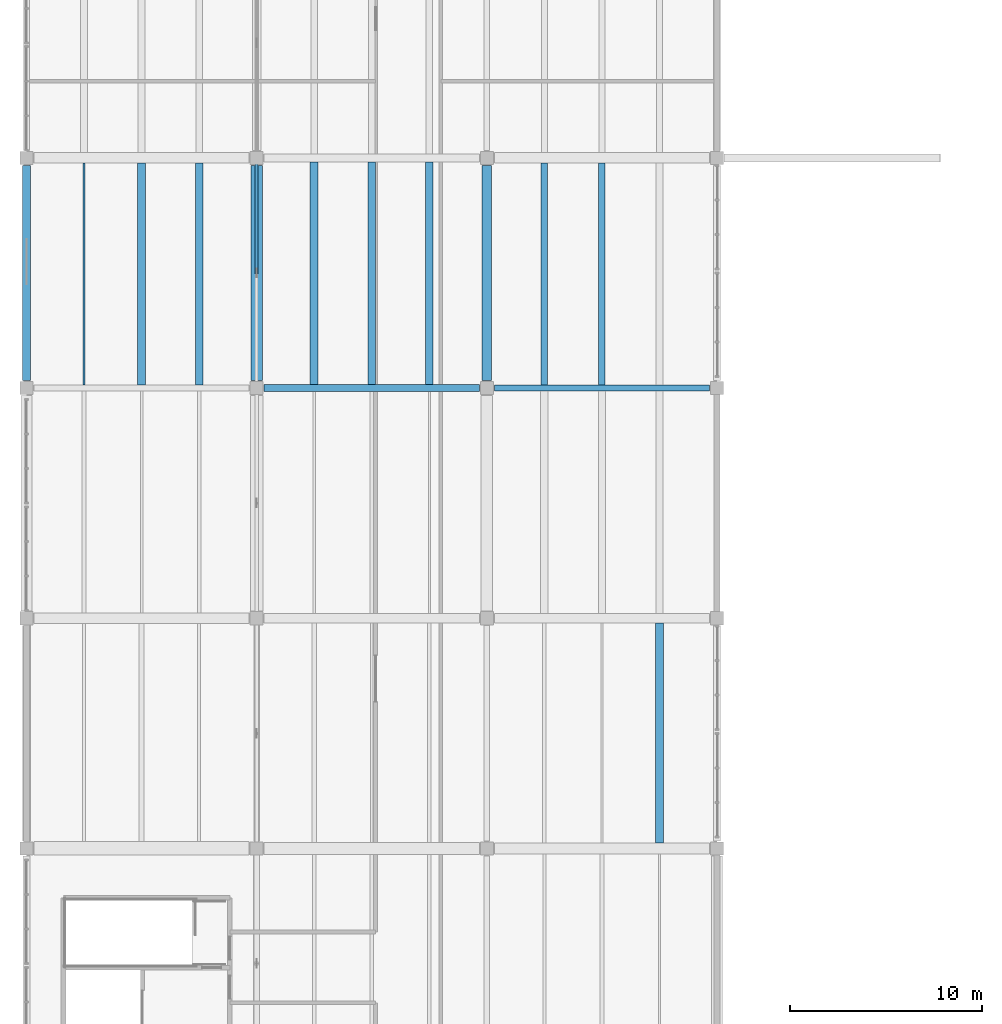
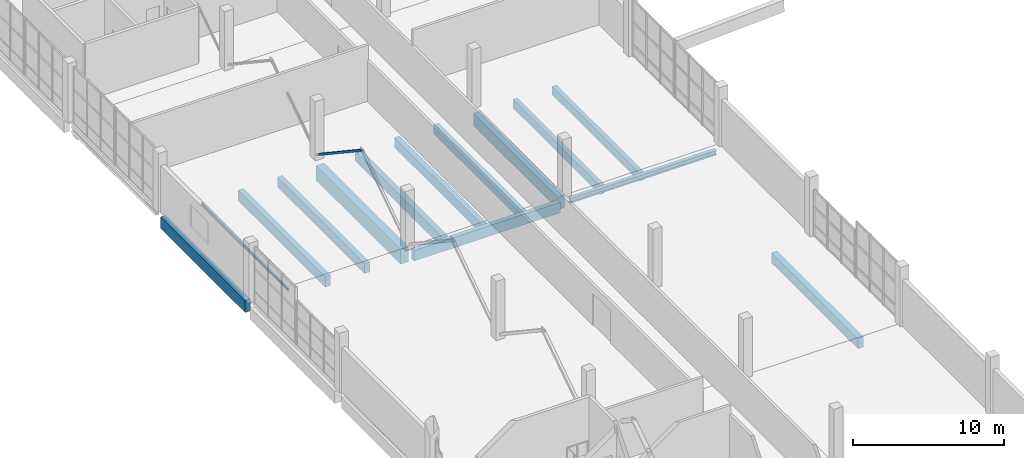
# One storey, part 11 of 49: 14 beams, 1 member.
"""IFC4 building model written with IfcOpenShell, lengths in metres."""

import ifcopenshell
import ifcopenshell.guid

model = None  # the IFC model being written
_history = None  # IfcOwnerHistory: only IFC2X3 demands one
_inside = {}  # id of a spatial element -> (the spatial element, [elements in it])
_under = {}  # id of a project, library or spatial element -> (it, [spatial elements below it])
_declared = {}  # id of a project -> (the project, [libraries it declares])
_typed = {}  # id of a type object -> (the type object, [elements of that type])
_made_of = {}  # id of a material, layer set ... -> (it, [elements and type objects made of it])


def new_model(schema):
    """Start an empty IFC model of exactly this schema.

    Asked for "IFC4X3", IfcOpenShell would pick the latest addendum, in which some entities
    have other attributes; the version numbers below select the first issue.
    IFC2X3 requires an IfcOwnerHistory on every rooted entity: one is made here for all.
    """
    global model, _history
    if schema == "IFC4X3":
        model = ifcopenshell.file(schema_version=(4, 3, 0, 0))
    else:
        model = ifcopenshell.file(schema=schema)
    _inside.clear()
    _under.clear()
    _declared.clear()
    _typed.clear()
    _made_of.clear()
    _history = None
    if model.schema == "IFC2X3":
        org = make("IfcOrganization", Name="unknown")
        user = make(
            "IfcPersonAndOrganization",
            ThePerson=make("IfcPerson", FamilyName="unknown"),
            TheOrganization=org,
        )
        app = make(
            "IfcApplication",
            ApplicationDeveloper=org,
            Version="unknown",
            ApplicationFullName="unknown",
            ApplicationIdentifier="unknown",
        )
        _history = make(
            "IfcOwnerHistory",
            OwningUser=user,
            OwningApplication=app,
            ChangeAction="ADDED",
            CreationDate=0,
        )
    return model


def make(cls, **values):
    """One entity of the class cls with the attributes given. An attribute that is None is left unset."""
    return model.create_entity(
        cls, **{name: value for name, value in values.items() if value is not None}
    )


def rooted(cls, **values):
    """An entity with a GlobalId (a new one), such as an element, a storey or a relation."""
    return make(cls, GlobalId=ifcopenshell.guid.new(), OwnerHistory=_history, **values)


def si_unit(unit_type, name, prefix=None):
    """IfcSIUnit, for example si_unit("LENGTHUNIT", "METRE", prefix="MILLI")."""
    return make("IfcSIUnit", UnitType=unit_type, Prefix=prefix, Name=name)


def assignment(units):
    """IfcUnitAssignment: the units of a project."""
    return None if units is None else make("IfcUnitAssignment", Units=units)


def point(xyz):
    """IfcCartesianPoint."""
    return None if xyz is None else make("IfcCartesianPoint", Coordinates=xyz)


def direction(xyz):
    """IfcDirection."""
    return None if xyz is None else make("IfcDirection", DirectionRatios=xyz)


def frame(location, z_axis=None, x_axis=None):
    """IfcAxis2Placement3D, a coordinate frame: its origin and axes. An axis left out is left unset."""
    return make(
        "IfcAxis2Placement3D",
        Location=point(location),
        Axis=direction(z_axis),
        RefDirection=direction(x_axis),
    )


def frame_2d(location, x_axis=None):
    """IfcAxis2Placement2D, a coordinate frame in the plane: its origin and x axis."""
    return make(
        "IfcAxis2Placement2D", Location=point(location), RefDirection=direction(x_axis)
    )


def origin():
    """The frame at (0, 0, 0) with its axes left unset."""
    return frame((0.0, 0.0, 0.0))


def origin_2d():
    """The frame at (0, 0) in the plane with its x axis left unset."""
    return frame_2d((0.0, 0.0))


def place(relative_to, where):
    """IfcLocalPlacement: puts the frame where relative to a parent placement (None: the world)."""
    return make(
        "IfcLocalPlacement", PlacementRelTo=relative_to, RelativePlacement=where
    )


def context(
    kind, dimensions, precision=None, world=None, true_north=None, identifier=None
):
    """IfcGeometricRepresentationContext, for example the 3D "Model" context."""
    return make(
        "IfcGeometricRepresentationContext",
        ContextIdentifier=identifier,
        ContextType=kind,
        CoordinateSpaceDimension=dimensions,
        Precision=precision,
        WorldCoordinateSystem=world,
        TrueNorth=true_north,
    )


def subcontext(parent, identifier, kind, view, scale=None):
    """IfcGeometricRepresentationSubContext, for example "Body" below "Model"."""
    return make(
        "IfcGeometricRepresentationSubContext",
        ContextIdentifier=identifier,
        ContextType=kind,
        ParentContext=parent,
        TargetScale=scale,
        TargetView=view,
    )


def project(units=None, contexts=None):
    """IfcProject with its units and contexts."""
    return rooted(
        "IfcProject",
        Name="project",
        RepresentationContexts=contexts,
        UnitsInContext=assignment(units),
    )


def spatial(cls, under=None, at=None, **own):
    """A site, building, storey or space (cls), placed at a placement, below another one or the project."""
    s = rooted(cls, ObjectPlacement=at, **own)
    if under is not None:
        _under.setdefault(under.id(), (under, []))[1].append(s)
    return s


def profile(cls, at=None, kind="AREA", **sizes):
    """A parametric profile (cls). Its sizes go by their IFC names, for example OverallWidth=200.0."""
    return make(cls, ProfileType=kind, Position=at, **sizes)


def rectangle(**sizes):
    """IfcRectangleProfileDef."""
    return profile("IfcRectangleProfileDef", **sizes)


def hollow_rectangle(**sizes):
    """IfcRectangleHollowProfileDef."""
    return profile("IfcRectangleHollowProfileDef", **sizes)


def i_section(**sizes):
    """IfcIShapeProfileDef."""
    return profile("IfcIShapeProfileDef", **sizes)


def extrude(swept, where, along, depth):
    """IfcExtrudedAreaSolid: the profile swept, set in the frame where, extruded along a direction by depth."""
    return make(
        "IfcExtrudedAreaSolid",
        SweptArea=swept,
        Position=where,
        ExtrudedDirection=direction(along),
        Depth=depth,
    )


def shape(context_of_items, identifier, shape_type, items):
    """IfcShapeRepresentation: the items that make up one representation, for example the "Body"."""
    return make(
        "IfcShapeRepresentation",
        ContextOfItems=context_of_items,
        RepresentationIdentifier=identifier,
        RepresentationType=shape_type,
        Items=items,
    )


def material(Name=None, Category=None):
    """IfcMaterial."""
    return make("IfcMaterial", Name=Name, Category=Category)


def material_profile(
    of_material, cross_section, Name=None, Category=None, Priority=None
):
    """IfcMaterialProfile: a cross section and its material."""
    return make(
        "IfcMaterialProfile",
        Name=Name,
        Material=of_material,
        Profile=cross_section,
        Priority=Priority,
        Category=Category,
    )


def profile_set(profiles, Name=None, composite=None):
    """IfcMaterialProfileSet."""
    return make(
        "IfcMaterialProfileSet",
        Name=Name,
        MaterialProfiles=profiles,
        CompositeProfile=composite,
    )


def made_of(thing, what):
    """Note that an element or type object is made of a material, layer set ...; save() writes the relation."""
    if what is not None:
        _made_of.setdefault(what.id(), (what, []))[1].append(thing)
    return thing


def type_object(cls, material=None, **own):
    """A type object (cls), such as IfcWallType, which elements share."""
    return made_of(rooted(cls, **own), material)


def element(
    cls,
    number,
    at=None,
    inside=None,
    cuts=None,
    type_object=None,
    material=None,
    context=None,
    identifier="Body",
    shape_type=None,
    held_by="IfcProductDefinitionShape",
    body=None,
    shapes=None,
    **own,
):
    """One element of the class cls, such as IfcWall. Its Tag is "e" and its number.

    at: its placement. inside: the storey or other place that contains it. cuts: it is an
    opening in that element (IfcRelVoidsElement). A single representation is given by context,
    identifier, shape_type and body (its items); several are given by shapes. held_by: the class
    of the entity that holds the representations. save() writes the other relations.
    """
    e = rooted(cls, Tag="e%d" % number, ObjectPlacement=at, **own)
    if body is not None:
        shapes = [shape(context, identifier, shape_type, body)]
    if shapes is not None:
        e.Representation = make(held_by, Representations=shapes)
    if inside is not None:
        _inside.setdefault(inside.id(), (inside, []))[1].append(e)
    if cuts is not None:
        rooted(
            "IfcRelVoidsElement", RelatingBuildingElement=cuts, RelatedOpeningElement=e
        )
    if type_object is not None:
        _typed.setdefault(type_object.id(), (type_object, []))[1].append(e)
    return made_of(e, material)


def aggregate(whole, parts):
    """IfcRelAggregates: a whole, such as a stair, and the parts it consists of."""
    return rooted("IfcRelAggregates", RelatingObject=whole, RelatedObjects=parts)


def save(model, path):
    """Write the relations noted so far, then the file.

    IfcRelAggregates (storeys below a building ...), IfcRelContainedInSpatialStructure (elements
    in a storey), IfcRelDefinesByType, IfcRelAssociatesMaterial and IfcRelDeclares: one each for
    every whole, place, type object, material and project.
    """
    for whole, parts in _under.values():
        aggregate(whole, parts)
    for where, things in _inside.values():
        rooted(
            "IfcRelContainedInSpatialStructure",
            RelatedElements=things,
            RelatingStructure=where,
        )
    for kind, things in _typed.values():
        rooted("IfcRelDefinesByType", RelatedObjects=things, RelatingType=kind)
    for what, things in _made_of.values():
        rooted("IfcRelAssociatesMaterial", RelatedObjects=things, RelatingMaterial=what)
    for by, libraries in _declared.values():
        rooted("IfcRelDeclares", RelatingContext=by, RelatedDefinitions=libraries)
    model.write(path)


model = new_model("IFC4")

# Units and contexts
model_context = context("Model", 3, precision=1e-05, world=origin(), true_north=direction((0.0, 1.0)))
body_context = subcontext(model_context, "Body", "Model", "MODEL_VIEW")
ifc_project = project(units=[si_unit("LENGTHUNIT", "METRE"), si_unit("AREAUNIT", "SQUARE_METRE"), si_unit("VOLUMEUNIT", "CUBIC_METRE"), si_unit("PLANEANGLEUNIT", "RADIAN"), si_unit("MASSUNIT", "GRAM", prefix="KILO")], contexts=[model_context])

# Site, building, storey
site_placement = place(None, origin())
site = spatial("IfcSite", under=ifc_project, at=site_placement, CompositionType="ELEMENT")
building_placement = place(site_placement, origin())
building = spatial("IfcBuilding", under=site, at=building_placement, Name="Kamomehara Wholesale Market", CompositionType="ELEMENT")
storey_placement = place(building_placement, frame((0.0, 0.0, 11.39990234375)))
storey = spatial("IfcBuildingStorey", under=building, at=storey_placement, Name="L02", CompositionType="ELEMENT", Elevation=11.39990234375)

# Beams
ifc_material_1 = material(Name="Precast concrete Fc45 (C40/50)", Category="concrete")
ifc_material_profile_1 = material_profile(ifc_material_1, rectangle(XDim=0.5, YDim=1.0, at=origin_2d()), Name="PC-GRD-500x1000")
ifc_profile_set_1 = profile_set([ifc_material_profile_1], Name="Precast concrete Fc45 (C40/50)")
beam_type_1 = type_object("IfcBeamType", Name="BM-PG1000", PredefinedType="T_BEAM", material=ifc_profile_set_1)
beam_1_placement = place(storey_placement, frame((24.0, 96.389892578125, -0.841796875), z_axis=(0.0, 1.0, 0.0), x_axis=(-1.0, 0.0, 0.0)))
element("IfcBeam", 1, at=beam_1_placement, inside=storey, type_object=beam_type_1, Name="Beam PG-09 L02", PredefinedType="T_BEAM", context=body_context, shape_type="SweptSolid", body=[
    extrude(rectangle(XDim=0.5, YDim=1.0, at=origin_2d()), origin(), (0.0, 0.0, 1.0), 11.22021484375),
])
ifc_material_2 = material(Name="Precast concrete Fc45 (C40/50)", Category="concrete")
ifc_material_profile_2 = material_profile(ifc_material_2, rectangle(XDim=0.60009765625, YDim=1.199951171875, at=origin_2d()), Name="PC-GRD-600x1200")
ifc_profile_set_2 = profile_set([ifc_material_profile_2], Name="Precast concrete Fc45 (C40/50)")
beam_type_2 = type_object("IfcBeamType", Name="BM-PG1200", PredefinedType="T_BEAM", material=ifc_profile_set_2)
beam_2_placement = place(storey_placement, frame((12.0, 96.389892578125, -0.931884765625), z_axis=(0.0, 1.0, 0.0), x_axis=(-1.0, 0.0, 0.0)))
element("IfcBeam", 2, at=beam_2_placement, inside=storey, type_object=beam_type_2, Name="Beam PG-05 L02", PredefinedType="T_BEAM", context=body_context, shape_type="SweptSolid", body=[
    extrude(rectangle(XDim=0.60009765625, YDim=1.199951171875, at=origin_2d()), origin(), (0.0, 0.0, 1.0), 11.22021484375),
])
ifc_material_3 = material(Name="Precast concrete Fc45 (C40/50)", Category="concrete")
ifc_material_profile_3 = material_profile(ifc_material_3, rectangle(XDim=0.340087890625, YDim=0.679931640625, at=origin_2d()), Name="PC-JST-340x680")
ifc_profile_set_3 = profile_set([ifc_material_profile_3], Name="Precast concrete Fc45 (C40/50)")
beam_type_3 = type_object("IfcBeamType", Name="BM-PJ680", PredefinedType="JOIST", material=ifc_profile_set_3)
beam_3_placement = place(storey_placement, frame((30.0, 96.14990234375, -0.681884765625), z_axis=(0.0, 1.0, 0.0), x_axis=(-1.0, 0.0, 0.0)))
element("IfcBeam", 3, at=beam_3_placement, inside=storey, type_object=beam_type_3, Name="Beam PJ-09 L02", PredefinedType="JOIST", context=body_context, shape_type="SweptSolid", body=[
    extrude(rectangle(XDim=0.340087890625, YDim=0.679931640625, at=origin_2d()), origin(), (0.0, 0.0, 1.0), 11.5751953125),
])
ifc_material_4 = material(Name="Precast concrete Fc45 (C40/50)", Category="concrete")
ifc_material_profile_4 = material_profile(ifc_material_4, rectangle(XDim=0.35009765625, YDim=0.699951171875, at=origin_2d()), Name="PC-JST-350x700")
ifc_profile_set_4 = profile_set([ifc_material_profile_4], Name="Precast concrete Fc45 (C40/50)")
beam_type_4 = type_object("IfcBeamType", Name="BM-PJ700", PredefinedType="JOIST", material=ifc_profile_set_4)
beam_4_placement = place(storey_placement, frame((27.0, 96.14990234375, -0.69189453125), z_axis=(0.0, 1.0, 0.0), x_axis=(-1.0, 0.0, 0.0)))
element("IfcBeam", 4, at=beam_4_placement, inside=storey, type_object=beam_type_4, Name="Beam PJ-03 L02", PredefinedType="JOIST", context=body_context, shape_type="SweptSolid", body=[
    extrude(rectangle(XDim=0.35009765625, YDim=0.699951171875, at=origin_2d()), origin(), (0.0, 0.0, 1.0), 11.5751953125),
])
ifc_material_5 = material(Name="Precast concrete Fc45 (C40/50)", Category="concrete")
ifc_material_profile_5 = material_profile(ifc_material_5, rectangle(XDim=0.3798828125, YDim=0.75, at=origin_2d()), Name="PC-JST-380x750")
ifc_profile_set_5 = profile_set([ifc_material_profile_5], Name="Precast concrete Fc45 (C40/50)")
beam_type_5 = type_object("IfcBeamType", Name="BM-PJ750", PredefinedType="JOIST", material=ifc_profile_set_5)
beam_5_placement = place(storey_placement, frame((21.0, 96.175048828125, -0.706787109375), z_axis=(0.0, 1.0, 0.0), x_axis=(-1.0, 0.0, 0.0)))
element("IfcBeam", 5, at=beam_5_placement, inside=storey, type_object=beam_type_5, Name="Beam PJ-02 L02", PredefinedType="JOIST", context=body_context, shape_type="SweptSolid", body=[
    extrude(rectangle(XDim=0.3798828125, YDim=0.75, at=origin_2d()), origin(), (0.0, 0.0, 1.0), 11.625),
])
ifc_material_6 = material(Name="Precast concrete Fc45 (C40/50)", Category="concrete")
ifc_material_profile_6 = material_profile(ifc_material_6, rectangle(XDim=0.39990234375, YDim=0.800048828125, at=origin_2d()), Name="PC-JST-400x800")
ifc_profile_set_6 = profile_set([ifc_material_profile_6], Name="Precast concrete Fc45 (C40/50)")
beam_type_6 = type_object("IfcBeamType", Name="BM-PJ800", PredefinedType="JOIST", material=ifc_profile_set_6)
beam_6_placement = place(storey_placement, frame((9.0, 96.14990234375, -0.73193359375), z_axis=(0.0, 1.0, 0.0), x_axis=(-1.0, 0.0, 0.0)))
element("IfcBeam", 6, at=beam_6_placement, inside=storey, type_object=beam_type_6, Name="Beam PJ-01 L02", PredefinedType="JOIST", context=body_context, shape_type="SweptSolid", body=[
    extrude(rectangle(XDim=0.39990234375, YDim=0.800048828125, at=origin_2d()), origin(), (0.0, 0.0, 1.0), 11.5751953125),
])
beam_7_placement = place(storey_placement, frame((18.0, 96.175048828125, -0.73193359375), z_axis=(0.0, 1.0, 0.0), x_axis=(-1.0, 0.0, 0.0)))
element("IfcBeam", 7, at=beam_7_placement, inside=storey, type_object=beam_type_6, Name="Beam PJ-01 L02", PredefinedType="JOIST", context=body_context, shape_type="SweptSolid", body=[
    extrude(rectangle(XDim=0.39990234375, YDim=0.800048828125, at=origin_2d()), origin(), (0.0, 0.0, 1.0), 11.625),
])
ifc_material_7 = material(Name="Precast concrete Fc45 (C40/50)", Category="concrete")
ifc_material_profile_7 = material_profile(ifc_material_7, rectangle(XDim=0.419921875, YDim=0.840087890625, at=origin_2d()), Name="PC-JST-420x840")
ifc_profile_set_7 = profile_set([ifc_material_profile_7], Name="Precast concrete Fc45 (C40/50)")
beam_type_7 = type_object("IfcBeamType", Name="BM-PJ840", PredefinedType="JOIST", material=ifc_profile_set_7)
beam_8_placement = place(storey_placement, frame((6.0, 96.14990234375, -0.761962890625), z_axis=(0.0, 1.0, 0.0), x_axis=(-1.0, 0.0, 0.0)))
element("IfcBeam", 8, at=beam_8_placement, inside=storey, type_object=beam_type_7, Name="Beam PJ-07 L02", PredefinedType="JOIST", context=body_context, shape_type="SweptSolid", body=[
    extrude(rectangle(XDim=0.419921875, YDim=0.840087890625, at=origin_2d()), origin(), (0.0, 0.0, 1.0), 11.5751953125),
])
beam_9_placement = place(storey_placement, frame((15.0, 96.175048828125, -0.751953125), z_axis=(0.0, 1.0, 0.0), x_axis=(-1.0, 0.0, 0.0)))
element("IfcBeam", 9, at=beam_9_placement, inside=storey, type_object=beam_type_7, Name="Beam PJ-07 L02", PredefinedType="JOIST", context=body_context, shape_type="SweptSolid", body=[
    extrude(rectangle(XDim=0.419921875, YDim=0.840087890625, at=origin_2d()), origin(), (0.0, 0.0, 1.0), 11.625),
])
beam_10_placement = place(storey_placement, frame((33.0, 72.2900390625, -0.73193359375), z_axis=(0.0, 1.0, 0.0), x_axis=(-1.0, 0.0, 0.0)))
element("IfcBeam", 10, at=beam_10_placement, inside=storey, type_object=beam_type_7, Name="Beam PJ-07 L02", PredefinedType="JOIST", context=body_context, shape_type="SweptSolid", body=[
    extrude(rectangle(XDim=0.419921875, YDim=0.840087890625, at=origin_2d()), origin(), (0.0, 0.0, 1.0), 11.4599609375),
])
ifc_material_8 = material(Name="Precast concrete Fc45 (C40/50)", Category="concrete")
ifc_material_profile_8 = material_profile(ifc_material_8, rectangle(XDim=0.35009765625, YDim=0.85009765625, at=origin_2d()), Name="PC-SPN-350x850")
ifc_profile_set_8 = profile_set([ifc_material_profile_8], Name="Precast concrete Fc45 (C40/50)")
beam_type_8 = type_object("IfcBeamType", Name="BM-SPN850-EXT", PredefinedType="SPANDREL", material=ifc_profile_set_8)
beam_11_placement = place(storey_placement, frame((12.389892578125, 96.0, -0.766845703125), z_axis=(1.0, 0.0, 0.0), x_axis=(0.0, 1.0, 0.0)))
element("IfcBeam", 11, at=beam_11_placement, inside=storey, type_object=beam_type_8, Name="Beam SPN-02E L02", PredefinedType="SPANDREL", context=body_context, shape_type="SweptSolid", body=[
    extrude(rectangle(XDim=0.35009765625, YDim=0.85009765625, at=origin_2d()), origin(), (0.0, 0.0, 1.0), 11.22021484375),
])
ifc_material_9 = material(Name="Precast concrete Fc45 (C40/50)", Category="concrete")
ifc_material_profile_9 = material_profile(ifc_material_9, rectangle(XDim=0.39990234375, YDim=0.949951171875, at=origin_2d()), Name="PC-SPN-400x950")
ifc_profile_set_9 = profile_set([ifc_material_profile_9], Name="Precast concrete Fc45 (C40/50)")
beam_type_9 = type_object("IfcBeamType", Name="BM-SPN950-EXT", PredefinedType="SPANDREL", material=ifc_profile_set_9)
beam_12_placement = place(storey_placement, frame((0.0, 96.389892578125, -0.806884765625), z_axis=(0.0, 1.0, 0.0), x_axis=(-1.0, 0.0, 0.0)))
element("IfcBeam", 12, at=beam_12_placement, inside=storey, type_object=beam_type_9, Name="Beam SPN-01E L02", PredefinedType="SPANDREL", context=body_context, shape_type="SweptSolid", body=[
    extrude(rectangle(XDim=0.39990234375, YDim=0.949951171875, at=origin_2d()), origin(), (0.0, 0.0, 1.0), 11.22021484375),
])
ifc_material_10 = material(Name="Steel SN400B", Category="steel")
ifc_material_profile_10 = material_profile(ifc_material_10, i_section(OverallWidth=0.10009765625, OverallDepth=0.199951171875, WebThickness=0.005615234375, FlangeThickness=0.008056640625, FilletRadius=0.008056640625, at=origin_2d()), Name="H-200x100x5.5x8")
ifc_profile_set_10 = profile_set([ifc_material_profile_10], Name="Steel SN400B")
beam_type_10 = type_object("IfcBeamType", Name="BM-ST-H200", PredefinedType="LINTEL", material=ifc_profile_set_10)
beam_13_placement = place(storey_placement, frame((3.0, 96.14990234375, -0.431884765625), z_axis=(0.0, 1.0, 0.0), x_axis=(-1.0, 0.0, 0.0)))
element("IfcBeam", 13, at=beam_13_placement, inside=storey, type_object=beam_type_10, Name="Beam SJ-07 L02", PredefinedType="LINTEL", context=body_context, shape_type="SweptSolid", body=[
    extrude(i_section(OverallWidth=0.10009765625, OverallDepth=0.199951171875, WebThickness=0.005615234375, FlangeThickness=0.008056640625, FilletRadius=0.008056640625, at=origin_2d()), origin(), (0.0, 0.0, 1.0), 11.5751953125),
])
ifc_material_11 = material(Name="Steel SN490B", Category="steel")
ifc_material_profile_11 = material_profile(ifc_material_11, i_section(OverallWidth=0.300048828125, OverallDepth=0.389892578125, WebThickness=0.010009765625, FlangeThickness=0.01611328125, FilletRadius=0.01806640625, at=origin_2d()), Name="H-390x300x10x16")
ifc_profile_set_11 = profile_set([ifc_material_profile_11], Name="Steel SN490B")
beam_type_11 = type_object("IfcBeamType", Name="BM-ST-H390-EXT", PredefinedType="SPANDREL", material=ifc_profile_set_11)
beam_14_placement = place(storey_placement, frame((24.389892578125, 96.0, -0.536865234375), z_axis=(1.0, 0.0, 0.0), x_axis=(0.0, 1.0, 0.0)))
element("IfcBeam", 14, at=beam_14_placement, inside=storey, type_object=beam_type_11, Name="Beam SJ-03E L02", PredefinedType="SPANDREL", context=body_context, shape_type="SweptSolid", body=[
    extrude(i_section(OverallWidth=0.300048828125, OverallDepth=0.389892578125, WebThickness=0.010009765625, FlangeThickness=0.01611328125, FilletRadius=0.01806640625, at=origin_2d()), origin(), (0.0, 0.0, 1.0), 11.22021484375),
])

# Member
ifc_material_12 = material(Name="Steel SN400B", Category="steel")
ifc_material_profile_12 = material_profile(ifc_material_12, hollow_rectangle(XDim=0.14990234375, YDim=0.14990234375, WallThickness=0.006103515625, at=origin_2d()), Name="RHS-150x150x6")
ifc_profile_set_12 = profile_set([ifc_material_profile_12], Name="Steel SN400B")
member_type = type_object("IfcMemberType", Name="MEM-BR-RHS150", PredefinedType="BRACE", material=ifc_profile_set_12)
member_placement = place(storey_placement, frame((12.0, 108.0, 0.2001953125), z_axis=(0.0, -0.832050294338, 0.554700196225), x_axis=(1.0, 0.0, 0.0)))
element("IfcMember", 15, at=member_placement, inside=storey, type_object=member_type, Name="Lateral frame brace V3 96B", PredefinedType="BRACE", context=body_context, shape_type="SweptSolid", body=[
    extrude(hollow_rectangle(XDim=0.14990234375, YDim=0.14990234375, WallThickness=0.006103515625, at=origin_2d()), origin(), (0.0, 0.0, 1.0), 7.211181640625),
])

save(model, "model.ifc")
